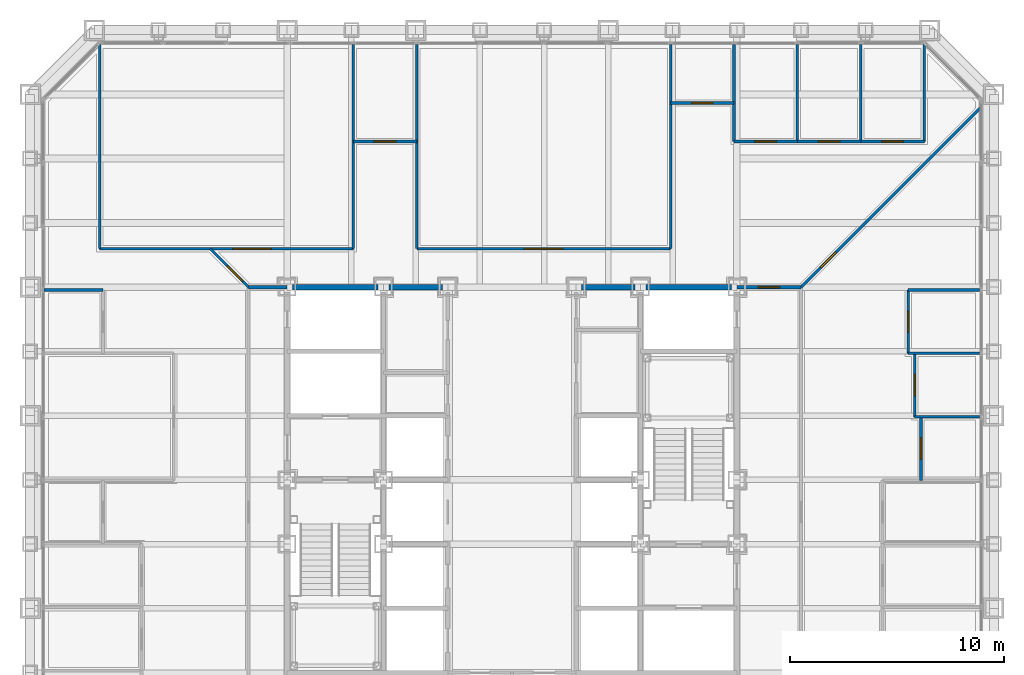
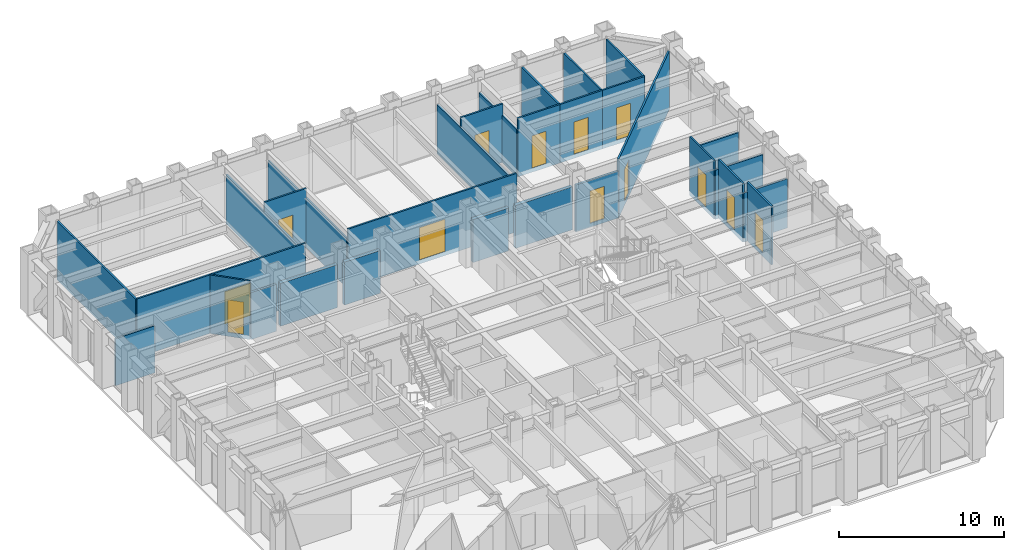
# One storey, part 11 of 16: 30 walls, 13 doors, 13 openings.
"""IFC4 building model written with IfcOpenShell, lengths in metres."""

from ifc_helpers import new_model, si_unit, direction, frame, frame_2d, origin, place, context, subcontext, project, spatial, rectangle, extrude, material, layer, layer_set, type_object, element, fill, save


model = new_model("IFC4")

# Units and contexts
model_context = context("Model", 3, precision=1e-05, world=origin(), true_north=direction((0.0, 1.0)))
body_context = subcontext(model_context, "Body", "Model", "MODEL_VIEW")
ifc_project = project(units=[si_unit("LENGTHUNIT", "METRE"), si_unit("AREAUNIT", "SQUARE_METRE"), si_unit("VOLUMEUNIT", "CUBIC_METRE"), si_unit("PLANEANGLEUNIT", "RADIAN"), si_unit("MASSUNIT", "GRAM", prefix="KILO")], contexts=[model_context])

# Site, building, storey
site_placement = place(None, origin())
site = spatial("IfcSite", under=ifc_project, at=site_placement, CompositionType="ELEMENT")
building_placement = place(site_placement, origin())
building = spatial("IfcBuilding", under=site, at=building_placement, Name="Chuquiago Exchange Tower", CompositionType="ELEMENT")
storey_placement = place(building_placement, frame((0.0, 0.0, 28.800048828125)))
storey = spatial("IfcBuildingStorey", under=building, at=storey_placement, Name="L05", CompositionType="ELEMENT", Elevation=28.800048828125)

# Walls
ifc_material_1 = material(Name="Concrete masonry, fully grouted", Category="masonry")
ifc_layer_1 = layer(ifc_material_1, 0.25)
ifc_layer_set_1 = layer_set([ifc_layer_1], Name="W1 core wall 250")
wall_type_1 = type_object("IfcWallType", Name="W1 core wall 250", PredefinedType="SOLIDWALL", material=ifc_layer_set_1)
wall_1_placement = place(storey_placement, frame((12.25, 33.0, 0.0), z_axis=(0.0, 0.0, 1.0), x_axis=(1.0, 0.0, 0.0)))
element("IfcWall", 1, at=wall_1_placement, inside=storey, type_object=wall_type_1, Name="CW-L05-11-0", PredefinedType="SOLIDWALL", context=body_context, shape_type="SweptSolid", body=[
    extrude(rectangle(XDim=4.0, YDim=0.25, at=frame_2d((2.0, 0.0))), origin(), (0.0, 0.0, 1.0), 3.181396484375),
])
for number, where, z_axis, x_axis, name in (
    (2, (16.75, 33.0, 0.0), (0.0, 0.0, 1.0), (1.0, 0.0, 0.0), "CW-L05-11-1"),
    (3, (25.75, 33.0, 0.0), (0.0, 0.0, 1.0), (1.0, 0.0, 0.0), "CW-L05-12-0"),
):
    element("IfcWall", number, at=place(storey_placement, frame(where, z_axis=z_axis, x_axis=x_axis)), inside=storey, type_object=wall_type_1, Name=name, PredefinedType="SOLIDWALL", context=body_context, shape_type="SweptSolid", body=[
        extrude(rectangle(XDim=2.5, YDim=0.25, at=frame_2d((1.25, 0.0))), origin(), (0.0, 0.0, 1.0), 3.181396484375),
    ])
wall_2_placement = place(storey_placement, frame((28.75, 33.0, 0.0), z_axis=(0.0, 0.0, 1.0), x_axis=(1.0, 0.0, 0.0)))
element("IfcWall", 4, at=wall_2_placement, inside=storey, type_object=wall_type_1, Name="CW-L05-12-1", PredefinedType="SOLIDWALL", context=body_context, shape_type="SweptSolid", body=[
    extrude(rectangle(XDim=4.0, YDim=0.25, at=frame_2d((2.0, 0.0))), origin(), (0.0, 0.0, 1.0), 3.181396484375),
])
ifc_material_2 = material(Name="Gypsum board on steel studs, acoustic insulation", Category="steel")
ifc_layer_2 = layer(ifc_material_2, 0.14990234375)
ifc_layer_set_2 = layer_set([ifc_layer_2], Name="W11 corridor wall 150")
wall_type_2 = type_object("IfcWallType", Name="W11 corridor wall 150", PredefinedType="PARTITIONING", material=ifc_layer_set_2)
wall_3_placement = place(storey_placement, frame((10.199951171875, 33.0, -0.300048828125), z_axis=(0.0, 0.0, 1.0), x_axis=(1.0, 0.0, 0.0)))
element("IfcWall", 5, at=wall_3_placement, inside=storey, type_object=wall_type_2, Name="PW-L05-GWN0", PredefinedType="PARTITIONING", context=body_context, shape_type="SweptSolid", body=[
    extrude(rectangle(XDim=1.800048828125, YDim=0.14990234375, at=frame_2d((0.89990234375, 0.0))), origin(), (0.0, 0.0, 1.0), 3.4814453125),
])

# Wall, opening, door
wall_4_placement = place(storey_placement, frame((33.0, 33.0, -0.300048828125), z_axis=(0.0, 0.0, 1.0), x_axis=(1.0, 0.0, 0.0)))
wall_4 = element("IfcWall", 6, at=wall_4_placement, inside=storey, type_object=wall_type_2, Name="PW-L05-GEN0", PredefinedType="PARTITIONING", context=body_context, shape_type="SweptSolid", body=[
    extrude(rectangle(XDim=3.0, YDim=0.14990234375, at=frame_2d((1.5, 0.0))), origin(), (0.0, 0.0, 1.0), 3.4814453125),
])
opening_1_placement = place(wall_4_placement, frame((1.0, 0.0, 0.300048828125)))
opening_1 = element("IfcOpeningElement", 7, at=opening_1_placement, cuts=wall_4, Name="Opening L05-054", PredefinedType="OPENING", context=body_context, shape_type="SweptSolid", body=[
    extrude(rectangle(XDim=1.0, YDim=2.39990234375, at=frame_2d((0.5, 1.199951171875))), frame((0.0, 0.0849609375, 0.0), z_axis=(0.0, -1.0, 0.0), x_axis=(1.0, 0.0, 0.0)), (0.0, 0.0, 1.0), 0.169921875),
])
ifc_material_3 = material(Name="Timber door, laminate faced", Category="wood")
door_type_1 = type_object("IfcDoorType", Name="D9 room door 1000x2400", OperationType="SINGLE_SWING_LEFT", PredefinedType="DOOR", material=ifc_material_3)
door_1_placement = place(opening_1_placement, origin())
door_1 = element("IfcDoor", 8, at=door_1_placement, inside=storey, type_object=door_type_1, Name="Team area door", OperationType="SINGLE_SWING_LEFT", OverallHeight=2.39990234375, OverallWidth=1.0, PredefinedType="DOOR", context=body_context, shape_type="SweptSolid", body=[
    extrude(rectangle(XDim=1.0, YDim=2.39990234375, at=frame_2d((0.5, 1.199951171875))), frame((0.0, 0.02490234375, 0.0), z_axis=(0.0, -1.0, 0.0), x_axis=(1.0, 0.0, 0.0)), (0.0, 0.0, 1.0), 0.050048828125),
])
fill(opening_1, door_1)

# Walls
ifc_material_4 = material(Name="Gypsum board on steel studs", Category="steel")
ifc_layer_3 = layer(ifc_material_4, 0.1201171875)
ifc_layer_set_3 = layer_set([ifc_layer_3], Name="W4 partition 120")
wall_type_3 = type_object("IfcWallType", Name="W4 partition 120", PredefinedType="PARTITIONING", material=ifc_layer_set_3)
wall_5_placement = place(storey_placement, frame((44.342529296875, 26.942626953125, -0.300048828125), z_axis=(0.0, 0.0, 1.0), x_axis=(-1.0, 0.0, 0.0)))
element("IfcWall", 9, at=wall_5_placement, inside=storey, type_object=wall_type_3, Name="PW-L05-E02694", PredefinedType="PARTITIONING", context=body_context, shape_type="SweptSolid", body=[
    extrude(rectangle(XDim=3.04248046875, YDim=0.1201171875, at=frame_2d((1.521240234375, 0.0))), origin(), (0.0, 0.0, 1.0), 3.646484375),
])
wall_6_placement = place(storey_placement, frame((44.342529296875, 29.904296875, -0.300048828125), z_axis=(0.0, 0.0, 1.0), x_axis=(-1.0, 0.0, 0.0)))
element("IfcWall", 10, at=wall_6_placement, inside=storey, type_object=wall_type_3, Name="PW-L05-E02990", PredefinedType="PARTITIONING", context=body_context, shape_type="SweptSolid", body=[
    extrude(rectangle(XDim=3.342529296875, YDim=0.1201171875, at=frame_2d((1.67138671875, 0.0))), origin(), (0.0, 0.0, 1.0), 3.646484375),
])
wall_7_placement = place(storey_placement, frame((44.342529296875, 32.8662109375, -0.300048828125), z_axis=(0.0, 0.0, 1.0), x_axis=(-1.0, 0.0, 0.0)))
element("IfcWall", 11, at=wall_7_placement, inside=storey, type_object=wall_type_3, Name="PW-L05-E03287", PredefinedType="PARTITIONING", context=body_context, shape_type="SweptSolid", body=[
    extrude(rectangle(XDim=3.342529296875, YDim=0.1201171875, at=frame_2d((1.67138671875, 0.0))), origin(), (0.0, 0.0, 1.0), 3.4814453125),
])

# Wall, opening, door
wall_8_placement = place(storey_placement, frame((41.60009765625, 23.98095703125, -0.300048828125), z_axis=(0.0, 0.0, 1.0), x_axis=(0.0, 1.0, 0.0)))
wall_8 = element("IfcWall", 12, at=wall_8_placement, inside=storey, type_object=wall_type_3, Name="PW-L05-EF02398", PredefinedType="PARTITIONING", context=body_context, shape_type="SweptSolid", body=[
    extrude(rectangle(XDim=2.961669921875, YDim=0.1201171875, at=frame_2d((1.48095703125, 0.0))), origin(), (0.0, 0.0, 1.0), 4.340087890625),
])
opening_2_placement = place(wall_8_placement, frame((0.98095703125, 0.0, 0.300048828125)))
opening_2 = element("IfcOpeningElement", 13, at=opening_2_placement, cuts=wall_8, Name="Opening L05-036", PredefinedType="OPENING", context=body_context, shape_type="SweptSolid", body=[
    extrude(rectangle(XDim=1.0, YDim=2.39990234375, at=frame_2d((0.5, 1.199951171875))), frame((0.0, 0.070068359375, 0.0), z_axis=(0.0, -1.0, 0.0), x_axis=(1.0, 0.0, 0.0)), (0.0, 0.0, 1.0), 0.14013671875),
])
ifc_material_5 = material(Name="Timber frame door, full height glazed panel", Category="wood")
door_type_2 = type_object("IfcDoorType", Name="D14 glazed meeting room door 1000x2400", OperationType="SINGLE_SWING_LEFT", PredefinedType="DOOR", material=ifc_material_5)
door_2_placement = place(opening_2_placement, frame((1.0, 0.0, 0.0), z_axis=(0.0, 0.0, 1.0), x_axis=(-1.0, 0.0, 0.0)))
door_2 = element("IfcDoor", 14, at=door_2_placement, inside=storey, type_object=door_type_2, Name="Focus room door", OperationType="SINGLE_SWING_LEFT", OverallHeight=2.39990234375, OverallWidth=1.0, PredefinedType="DOOR", context=body_context, shape_type="SweptSolid", body=[
    extrude(rectangle(XDim=1.0, YDim=2.39990234375, at=frame_2d((0.5, 1.199951171875))), frame((0.0, 0.02490234375, 0.0), z_axis=(0.0, -1.0, 0.0), x_axis=(1.0, 0.0, 0.0)), (0.0, 0.0, 1.0), 0.050048828125),
])
fill(opening_2, door_2)

wall_9_placement = place(storey_placement, frame((41.300048828125, 26.942626953125, -0.300048828125), z_axis=(0.0, 0.0, 1.0), x_axis=(0.0, 1.0, 0.0)))
wall_9 = element("IfcWall", 15, at=wall_9_placement, inside=storey, type_object=wall_type_3, Name="PW-L05-EF02694", PredefinedType="PARTITIONING", context=body_context, shape_type="SweptSolid", body=[
    extrude(rectangle(XDim=2.961669921875, YDim=0.1201171875, at=frame_2d((1.48095703125, 0.0))), origin(), (0.0, 0.0, 1.0), 4.340087890625),
])
opening_3_placement = place(wall_9_placement, frame((0.98095703125, 0.0, 0.300048828125)))
opening_3 = element("IfcOpeningElement", 16, at=opening_3_placement, cuts=wall_9, Name="Opening L05-037", PredefinedType="OPENING", context=body_context, shape_type="SweptSolid", body=[
    extrude(rectangle(XDim=1.0, YDim=2.39990234375, at=frame_2d((0.5, 1.199951171875))), frame((0.0, 0.070068359375, 0.0), z_axis=(0.0, -1.0, 0.0), x_axis=(1.0, 0.0, 0.0)), (0.0, 0.0, 1.0), 0.14013671875),
])
door_3_placement = place(opening_3_placement, frame((1.0, 0.0, 0.0), z_axis=(0.0, 0.0, 1.0), x_axis=(-1.0, 0.0, 0.0)))
door_3 = element("IfcDoor", 17, at=door_3_placement, inside=storey, type_object=door_type_1, Name="Store door", OperationType="SINGLE_SWING_RIGHT", OverallHeight=2.39990234375, OverallWidth=1.0, PredefinedType="DOOR", context=body_context, shape_type="SweptSolid", body=[
    extrude(rectangle(XDim=1.0, YDim=2.39990234375, at=frame_2d((0.5, 1.199951171875))), frame((0.0, 0.02490234375, 0.0), z_axis=(0.0, -1.0, 0.0), x_axis=(1.0, 0.0, 0.0)), (0.0, 0.0, 1.0), 0.050048828125),
])
fill(opening_3, door_3)

wall_10_placement = place(storey_placement, frame((41.0, 29.904296875, -0.300048828125), z_axis=(0.0, 0.0, 1.0), x_axis=(0.0, 1.0, 0.0)))
wall_10 = element("IfcWall", 18, at=wall_10_placement, inside=storey, type_object=wall_type_3, Name="PW-L05-EF02990", PredefinedType="PARTITIONING", context=body_context, shape_type="SweptSolid", body=[
    extrude(rectangle(XDim=2.9619140625, YDim=0.1201171875, at=frame_2d((1.48095703125, 0.0))), origin(), (0.0, 0.0, 1.0), 4.340087890625),
])
opening_4_placement = place(wall_10_placement, frame((0.98095703125, 0.0, 0.300048828125)))
opening_4 = element("IfcOpeningElement", 19, at=opening_4_placement, cuts=wall_10, Name="Opening L05-038", PredefinedType="OPENING", context=body_context, shape_type="SweptSolid", body=[
    extrude(rectangle(XDim=1.0, YDim=2.39990234375, at=frame_2d((0.5, 1.199951171875))), frame((0.0, 0.070068359375, 0.0), z_axis=(0.0, -1.0, 0.0), x_axis=(1.0, 0.0, 0.0)), (0.0, 0.0, 1.0), 0.14013671875),
])
door_4_placement = place(opening_4_placement, frame((1.0, 0.0, 0.0), z_axis=(0.0, 0.0, 1.0), x_axis=(-1.0, 0.0, 0.0)))
door_4 = element("IfcDoor", 20, at=door_4_placement, inside=storey, type_object=door_type_1, Name="Pantry door", OperationType="SINGLE_SWING_RIGHT", OverallHeight=2.39990234375, OverallWidth=1.0, PredefinedType="DOOR", context=body_context, shape_type="SweptSolid", body=[
    extrude(rectangle(XDim=1.0, YDim=2.39990234375, at=frame_2d((0.5, 1.199951171875))), frame((0.0, 0.02490234375, 0.0), z_axis=(0.0, -1.0, 0.0), x_axis=(1.0, 0.0, 0.0)), (0.0, 0.0, 1.0), 0.050048828125),
])
fill(opening_4, door_4)

# Walls
wall_11_placement = place(storey_placement, frame((3.24853515625, 44.333984375, -0.300048828125), z_axis=(0.0, 0.0, 1.0), x_axis=(0.0, -1.0, 0.0)))
element("IfcWall", 21, at=wall_11_placement, inside=storey, type_object=wall_type_3, Name="PW-L05-N00325", PredefinedType="PARTITIONING", context=body_context, shape_type="SweptSolid", body=[
    extrude(rectangle(XDim=9.533935546875, YDim=0.1201171875, at=frame_2d((4.76708984375, 0.0))), origin(), (0.0, 0.0, 1.0), 4.340087890625),
])
for number, where, z_axis, x_axis, name in (
    (22, (15.095703125, 44.342529296875, -0.300048828125), (0.0, 0.0, 1.0), (0.0, -1.0, 0.0), "PW-L05-N01510"),
    (23, (18.057373046875, 44.342529296875, -0.300048828125), (0.0, 0.0, 1.0), (0.0, -1.0, 0.0), "PW-L05-N01806"),
    (24, (29.904296875, 44.342529296875, -0.300048828125), (0.0, 0.0, 1.0), (0.0, -1.0, 0.0), "PW-L05-N02990"),
):
    element("IfcWall", number, at=place(storey_placement, frame(where, z_axis=z_axis, x_axis=x_axis)), inside=storey, type_object=wall_type_3, Name=name, PredefinedType="PARTITIONING", context=body_context, shape_type="SweptSolid", body=[
        extrude(rectangle(XDim=9.54248046875, YDim=0.1201171875, at=frame_2d((4.771240234375, 0.0))), origin(), (0.0, 0.0, 1.0), 3.646484375),
    ])
wall_12_placement = place(storey_placement, frame((32.8662109375, 44.342529296875, -0.300048828125), z_axis=(0.0, 0.0, 1.0), x_axis=(0.0, -1.0, 0.0)))
element("IfcWall", 25, at=wall_12_placement, inside=storey, type_object=wall_type_3, Name="PW-L05-N03287", PredefinedType="PARTITIONING", context=body_context, shape_type="SweptSolid", body=[
    extrude(rectangle(XDim=4.54248046875, YDim=0.1201171875, at=frame_2d((2.271240234375, 0.0))), origin(), (0.0, 0.0, 1.0), 3.4814453125),
])
for number, where, z_axis, x_axis, name in (
    (26, (35.827880859375, 44.342529296875, -0.300048828125), (0.0, 0.0, 1.0), (0.0, -1.0, 0.0), "PW-L05-N03583"),
    (27, (38.789794921875, 44.342529296875, -0.300048828125), (0.0, 0.0, 1.0), (0.0, -1.0, 0.0), "PW-L05-N03879"),
):
    element("IfcWall", number, at=place(storey_placement, frame(where, z_axis=z_axis, x_axis=x_axis)), inside=storey, type_object=wall_type_3, Name=name, PredefinedType="PARTITIONING", context=body_context, shape_type="SweptSolid", body=[
        extrude(rectangle(XDim=4.54248046875, YDim=0.1201171875, at=frame_2d((2.271240234375, 0.0))), origin(), (0.0, 0.0, 1.0), 4.340087890625),
    ])
wall_13_placement = place(storey_placement, frame((41.75146484375, 44.333984375, -0.300048828125), z_axis=(0.0, 0.0, 1.0), x_axis=(0.0, -1.0, 0.0)))
element("IfcWall", 28, at=wall_13_placement, inside=storey, type_object=wall_type_3, Name="PW-L05-N04175", PredefinedType="PARTITIONING", context=body_context, shape_type="SweptSolid", body=[
    extrude(rectangle(XDim=4.533935546875, YDim=0.1201171875, at=frame_2d((2.26708984375, 0.0))), origin(), (0.0, 0.0, 1.0), 4.340087890625),
])

# Wall, opening, door
wall_14_placement = place(storey_placement, frame((3.24853515625, 34.800048828125, -0.300048828125), z_axis=(0.0, 0.0, 1.0), x_axis=(1.0, 0.0, 0.0)))
wall_14 = element("IfcWall", 29, at=wall_14_placement, inside=storey, type_object=wall_type_3, Name="PW-L05-NF00325", PredefinedType="PARTITIONING", context=body_context, shape_type="SweptSolid", body=[
    extrude(rectangle(XDim=11.84716796875, YDim=0.1201171875, at=frame_2d((5.923583984375, 0.0))), origin(), (0.0, 0.0, 1.0), 4.340087890625),
])
opening_5_placement = place(wall_14_placement, frame((6.208251953125, 0.0, 0.300048828125)))
opening_5 = element("IfcOpeningElement", 30, at=opening_5_placement, cuts=wall_14, Name="Opening L05-039", PredefinedType="OPENING", context=body_context, shape_type="SweptSolid", body=[
    extrude(rectangle(XDim=1.800048828125, YDim=2.39990234375, at=frame_2d((0.89990234375, 1.199951171875))), frame((0.0, 0.070068359375, 0.0), z_axis=(0.0, -1.0, 0.0), x_axis=(1.0, 0.0, 0.0)), (0.0, 0.0, 1.0), 0.14013671875),
])
ifc_material_6 = material(Name="Timber door pair, laminate faced", Category="wood")
door_type_3 = type_object("IfcDoorType", Name="D15 double room door 1800x2400", OperationType="DOUBLE_DOOR_DOUBLE_SWING", PredefinedType="DOOR", material=ifc_material_6)
door_5_placement = place(opening_5_placement, origin())
door_5 = element("IfcDoor", 31, at=door_5_placement, inside=storey, type_object=door_type_3, Name="Trading room door", OperationType="DOUBLE_DOOR_DOUBLE_SWING", OverallHeight=2.39990234375, OverallWidth=1.800048828125, PredefinedType="DOOR", context=body_context, shape_type="SweptSolid", body=[
    extrude(rectangle(XDim=1.800048828125, YDim=2.39990234375, at=frame_2d((0.89990234375, 1.199951171875))), frame((0.0, 0.02490234375, 0.0), z_axis=(0.0, -1.0, 0.0), x_axis=(1.0, 0.0, 0.0)), (0.0, 0.0, 1.0), 0.050048828125),
])
fill(opening_5, door_5)

wall_15_placement = place(storey_placement, frame((15.095703125, 39.800048828125, -0.300048828125), z_axis=(0.0, 0.0, 1.0), x_axis=(1.0, 0.0, 0.0)))
wall_15 = element("IfcWall", 32, at=wall_15_placement, inside=storey, type_object=wall_type_3, Name="PW-L05-NF01510", PredefinedType="PARTITIONING", context=body_context, shape_type="SweptSolid", body=[
    extrude(rectangle(XDim=2.961669921875, YDim=0.1201171875, at=frame_2d((1.48095703125, 0.0))), origin(), (0.0, 0.0, 1.0), 4.340087890625),
])
opening_6_placement = place(wall_15_placement, frame((0.98095703125, 0.0, 0.300048828125)))
opening_6 = element("IfcOpeningElement", 33, at=opening_6_placement, cuts=wall_15, Name="Opening L05-040", PredefinedType="OPENING", context=body_context, shape_type="SweptSolid", body=[
    extrude(rectangle(XDim=1.0, YDim=2.39990234375, at=frame_2d((0.5, 1.199951171875))), frame((0.0, 0.070068359375, 0.0), z_axis=(0.0, -1.0, 0.0), x_axis=(1.0, 0.0, 0.0)), (0.0, 0.0, 1.0), 0.14013671875),
])
door_6_placement = place(opening_6_placement, origin())
door_6 = element("IfcDoor", 34, at=door_6_placement, inside=storey, type_object=door_type_1, Name="Office door", OperationType="SINGLE_SWING_LEFT", OverallHeight=2.39990234375, OverallWidth=1.0, PredefinedType="DOOR", context=body_context, shape_type="SweptSolid", body=[
    extrude(rectangle(XDim=1.0, YDim=2.39990234375, at=frame_2d((0.5, 1.199951171875))), frame((0.0, 0.02490234375, 0.0), z_axis=(0.0, -1.0, 0.0), x_axis=(1.0, 0.0, 0.0)), (0.0, 0.0, 1.0), 0.050048828125),
])
fill(opening_6, door_6)

wall_16_placement = place(storey_placement, frame((18.057373046875, 34.800048828125, -0.300048828125), z_axis=(0.0, 0.0, 1.0), x_axis=(1.0, 0.0, 0.0)))
wall_16 = element("IfcWall", 35, at=wall_16_placement, inside=storey, type_object=wall_type_3, Name="PW-L05-NF01806", PredefinedType="PARTITIONING", context=body_context, shape_type="SweptSolid", body=[
    extrude(rectangle(XDim=11.846923828125, YDim=0.1201171875, at=frame_2d((5.92333984375, 0.0))), origin(), (0.0, 0.0, 1.0), 4.340087890625),
])
opening_7_placement = place(wall_16_placement, frame((5.0234375, 0.0, 0.300048828125)))
opening_7 = element("IfcOpeningElement", 36, at=opening_7_placement, cuts=wall_16, Name="Opening L05-041", PredefinedType="OPENING", context=body_context, shape_type="SweptSolid", body=[
    extrude(rectangle(XDim=1.800048828125, YDim=2.39990234375, at=frame_2d((0.89990234375, 1.199951171875))), frame((0.0, 0.070068359375, 0.0), z_axis=(0.0, -1.0, 0.0), x_axis=(1.0, 0.0, 0.0)), (0.0, 0.0, 1.0), 0.14013671875),
])
door_7_placement = place(opening_7_placement, origin())
door_7 = element("IfcDoor", 37, at=door_7_placement, inside=storey, type_object=door_type_3, Name="Trading room door", OperationType="DOUBLE_DOOR_DOUBLE_SWING", OverallHeight=2.39990234375, OverallWidth=1.800048828125, PredefinedType="DOOR", context=body_context, shape_type="SweptSolid", body=[
    extrude(rectangle(XDim=1.800048828125, YDim=2.39990234375, at=frame_2d((0.89990234375, 1.199951171875))), frame((0.0, 0.02490234375, 0.0), z_axis=(0.0, -1.0, 0.0), x_axis=(1.0, 0.0, 0.0)), (0.0, 0.0, 1.0), 0.050048828125),
])
fill(opening_7, door_7)

wall_17_placement = place(storey_placement, frame((29.904296875, 41.60009765625, -0.300048828125), z_axis=(0.0, 0.0, 1.0), x_axis=(1.0, 0.0, 0.0)))
wall_17 = element("IfcWall", 38, at=wall_17_placement, inside=storey, type_object=wall_type_3, Name="PW-L05-NF02990", PredefinedType="PARTITIONING", context=body_context, shape_type="SweptSolid", body=[
    extrude(rectangle(XDim=2.9619140625, YDim=0.1201171875, at=frame_2d((1.48095703125, 0.0))), origin(), (0.0, 0.0, 1.0), 4.340087890625),
])
opening_8_placement = place(wall_17_placement, frame((0.98095703125, 0.0, 0.300048828125)))
opening_8 = element("IfcOpeningElement", 39, at=opening_8_placement, cuts=wall_17, Name="Opening L05-042", PredefinedType="OPENING", context=body_context, shape_type="SweptSolid", body=[
    extrude(rectangle(XDim=1.0, YDim=2.39990234375, at=frame_2d((0.5, 1.199951171875))), frame((0.0, 0.070068359375, 0.0), z_axis=(0.0, -1.0, 0.0), x_axis=(1.0, 0.0, 0.0)), (0.0, 0.0, 1.0), 0.14013671875),
])
door_8_placement = place(opening_8_placement, origin())
door_8 = element("IfcDoor", 40, at=door_8_placement, inside=storey, type_object=door_type_2, Name="Focus room door", OperationType="SINGLE_SWING_LEFT", OverallHeight=2.39990234375, OverallWidth=1.0, PredefinedType="DOOR", context=body_context, shape_type="SweptSolid", body=[
    extrude(rectangle(XDim=1.0, YDim=2.39990234375, at=frame_2d((0.5, 1.199951171875))), frame((0.0, 0.02490234375, 0.0), z_axis=(0.0, -1.0, 0.0), x_axis=(1.0, 0.0, 0.0)), (0.0, 0.0, 1.0), 0.050048828125),
])
fill(opening_8, door_8)

wall_18_placement = place(storey_placement, frame((32.8662109375, 39.800048828125, -0.300048828125), z_axis=(0.0, 0.0, 1.0), x_axis=(1.0, 0.0, 0.0)))
wall_18 = element("IfcWall", 41, at=wall_18_placement, inside=storey, type_object=wall_type_3, Name="PW-L05-NF03287", PredefinedType="PARTITIONING", context=body_context, shape_type="SweptSolid", body=[
    extrude(rectangle(XDim=2.961669921875, YDim=0.1201171875, at=frame_2d((1.48095703125, 0.0))), origin(), (0.0, 0.0, 1.0), 4.340087890625),
])
opening_9_placement = place(wall_18_placement, frame((0.98095703125, 0.0, 0.300048828125)))
opening_9 = element("IfcOpeningElement", 42, at=opening_9_placement, cuts=wall_18, Name="Opening L05-043", PredefinedType="OPENING", context=body_context, shape_type="SweptSolid", body=[
    extrude(rectangle(XDim=1.0, YDim=2.39990234375, at=frame_2d((0.5, 1.199951171875))), frame((0.0, 0.070068359375, 0.0), z_axis=(0.0, -1.0, 0.0), x_axis=(1.0, 0.0, 0.0)), (0.0, 0.0, 1.0), 0.14013671875),
])
door_9_placement = place(opening_9_placement, origin())
door_9 = element("IfcDoor", 43, at=door_9_placement, inside=storey, type_object=door_type_1, Name="Office door", OperationType="SINGLE_SWING_RIGHT", OverallHeight=2.39990234375, OverallWidth=1.0, PredefinedType="DOOR", context=body_context, shape_type="SweptSolid", body=[
    extrude(rectangle(XDim=1.0, YDim=2.39990234375, at=frame_2d((0.5, 1.199951171875))), frame((0.0, 0.02490234375, 0.0), z_axis=(0.0, -1.0, 0.0), x_axis=(1.0, 0.0, 0.0)), (0.0, 0.0, 1.0), 0.050048828125),
])
fill(opening_9, door_9)

wall_19_placement = place(storey_placement, frame((35.827880859375, 39.800048828125, -0.300048828125), z_axis=(0.0, 0.0, 1.0), x_axis=(1.0, 0.0, 0.0)))
wall_19 = element("IfcWall", 44, at=wall_19_placement, inside=storey, type_object=wall_type_3, Name="PW-L05-NF03583", PredefinedType="PARTITIONING", context=body_context, shape_type="SweptSolid", body=[
    extrude(rectangle(XDim=2.9619140625, YDim=0.1201171875, at=frame_2d((1.48095703125, 0.0))), origin(), (0.0, 0.0, 1.0), 4.340087890625),
])
opening_10_placement = place(wall_19_placement, frame((0.98095703125, 0.0, 0.300048828125)))
opening_10 = element("IfcOpeningElement", 45, at=opening_10_placement, cuts=wall_19, Name="Opening L05-044", PredefinedType="OPENING", context=body_context, shape_type="SweptSolid", body=[
    extrude(rectangle(XDim=1.0, YDim=2.39990234375, at=frame_2d((0.5, 1.199951171875))), frame((0.0, 0.070068359375, 0.0), z_axis=(0.0, -1.0, 0.0), x_axis=(1.0, 0.0, 0.0)), (0.0, 0.0, 1.0), 0.14013671875),
])
door_10_placement = place(opening_10_placement, origin())
door_10 = element("IfcDoor", 46, at=door_10_placement, inside=storey, type_object=door_type_1, Name="Office door", OperationType="SINGLE_SWING_LEFT", OverallHeight=2.39990234375, OverallWidth=1.0, PredefinedType="DOOR", context=body_context, shape_type="SweptSolid", body=[
    extrude(rectangle(XDim=1.0, YDim=2.39990234375, at=frame_2d((0.5, 1.199951171875))), frame((0.0, 0.02490234375, 0.0), z_axis=(0.0, -1.0, 0.0), x_axis=(1.0, 0.0, 0.0)), (0.0, 0.0, 1.0), 0.050048828125),
])
fill(opening_10, door_10)

wall_20_placement = place(storey_placement, frame((38.789794921875, 39.800048828125, -0.300048828125), z_axis=(0.0, 0.0, 1.0), x_axis=(1.0, 0.0, 0.0)))
wall_20 = element("IfcWall", 47, at=wall_20_placement, inside=storey, type_object=wall_type_3, Name="PW-L05-NF03879", PredefinedType="PARTITIONING", context=body_context, shape_type="SweptSolid", body=[
    extrude(rectangle(XDim=2.961669921875, YDim=0.1201171875, at=frame_2d((1.48095703125, 0.0))), origin(), (0.0, 0.0, 1.0), 4.340087890625),
])
opening_11_placement = place(wall_20_placement, frame((0.98095703125, 0.0, 0.300048828125)))
opening_11 = element("IfcOpeningElement", 48, at=opening_11_placement, cuts=wall_20, Name="Opening L05-045", PredefinedType="OPENING", context=body_context, shape_type="SweptSolid", body=[
    extrude(rectangle(XDim=1.0, YDim=2.39990234375, at=frame_2d((0.5, 1.199951171875))), frame((0.0, 0.070068359375, 0.0), z_axis=(0.0, -1.0, 0.0), x_axis=(1.0, 0.0, 0.0)), (0.0, 0.0, 1.0), 0.14013671875),
])
door_11_placement = place(opening_11_placement, origin())
door_11 = element("IfcDoor", 49, at=door_11_placement, inside=storey, type_object=door_type_2, Name="Meeting room door", OperationType="SINGLE_SWING_RIGHT", OverallHeight=2.39990234375, OverallWidth=1.0, PredefinedType="DOOR", context=body_context, shape_type="SweptSolid", body=[
    extrude(rectangle(XDim=1.0, YDim=2.39990234375, at=frame_2d((0.5, 1.199951171875))), frame((0.0, 0.02490234375, 0.0), z_axis=(0.0, -1.0, 0.0), x_axis=(1.0, 0.0, 0.0)), (0.0, 0.0, 1.0), 0.050048828125),
])
fill(opening_11, door_11)

# Wall
wall_21_placement = place(storey_placement, frame((0.657470703125, 32.8662109375, -0.300048828125), z_axis=(0.0, 0.0, 1.0), x_axis=(1.0, 0.0, 0.0)))
element("IfcWall", 50, at=wall_21_placement, inside=storey, type_object=wall_type_3, Name="PW-L05-W03287", PredefinedType="PARTITIONING", context=body_context, shape_type="SweptSolid", body=[
    extrude(rectangle(XDim=2.742431640625, YDim=0.1201171875, at=frame_2d((1.37109375, 0.0))), origin(), (0.0, 0.0, 1.0), 3.4814453125),
])

# Wall, opening, door
wall_22_placement = place(storey_placement, frame((36.0, 33.0, -0.300048828125), z_axis=(0.0, 0.0, 1.0), x_axis=(0.707106781187, 0.707106781187, 0.0)))
wall_22 = element("IfcWall", 51, at=wall_22_placement, inside=storey, type_object=wall_type_3, Name="PW-L05-QNE", PredefinedType="PARTITIONING", context=body_context, shape_type="SweptSolid", body=[
    extrude(rectangle(XDim=11.84228515625, YDim=0.1201171875, at=frame_2d((5.921142578125, 0.0))), origin(), (0.0, 0.0, 1.0), 4.340087890625),
])
opening_12_placement = place(wall_22_placement, frame((1.300048828125, 0.0, 0.300048828125)))
opening_12 = element("IfcOpeningElement", 52, at=opening_12_placement, cuts=wall_22, Name="Opening L05-056", PredefinedType="OPENING", context=body_context, shape_type="SweptSolid", body=[
    extrude(rectangle(XDim=1.0, YDim=2.39990234375, at=frame_2d((0.5, 1.199951171875))), frame((0.0, 0.070068359375, 0.0), z_axis=(0.0, -1.0, 0.0), x_axis=(1.0, 0.0, 0.0)), (0.0, 0.0, 1.0), 0.14013671875),
])
door_12_placement = place(opening_12_placement, origin())
door_12 = element("IfcDoor", 53, at=door_12_placement, inside=storey, type_object=door_type_1, Name="Team area door", OperationType="SINGLE_SWING_LEFT", OverallHeight=2.39990234375, OverallWidth=1.0, PredefinedType="DOOR", context=body_context, shape_type="SweptSolid", body=[
    extrude(rectangle(XDim=1.0, YDim=2.39990234375, at=frame_2d((0.5, 1.199951171875))), frame((0.0, 0.02490234375, 0.0), z_axis=(0.0, -1.0, 0.0), x_axis=(1.0, 0.0, 0.0)), (0.0, 0.0, 1.0), 0.050048828125),
])
fill(opening_12, door_12)

wall_23_placement = place(storey_placement, frame((10.199951171875, 33.0, -0.300048828125), z_axis=(0.0, 0.0, 1.0), x_axis=(-0.707106781187, 0.707106781187, 0.0)))
wall_23 = element("IfcWall", 54, at=wall_23_placement, inside=storey, type_object=wall_type_3, Name="PW-L05-QNW", PredefinedType="PARTITIONING", context=body_context, shape_type="SweptSolid", body=[
    extrude(rectangle(XDim=2.547119140625, YDim=0.1201171875, at=frame_2d((1.2734375, 0.0))), origin(), (0.0, 0.0, 1.0), 4.340087890625),
])
opening_13_placement = place(wall_23_placement, frame((0.39990234375, 0.0, 0.300048828125)))
opening_13 = element("IfcOpeningElement", 55, at=opening_13_placement, cuts=wall_23, Name="Opening L05-057", PredefinedType="OPENING", context=body_context, shape_type="SweptSolid", body=[
    extrude(rectangle(XDim=1.0, YDim=2.39990234375, at=frame_2d((0.5, 1.199951171875))), frame((0.0, 0.070068359375, 0.0), z_axis=(0.0, -1.0, 0.0), x_axis=(1.0, 0.0, 0.0)), (0.0, 0.0, 1.0), 0.14013671875),
])
door_13_placement = place(opening_13_placement, frame((1.0, 0.0, 0.0), z_axis=(0.0, 0.0, 1.0), x_axis=(-1.0, 0.0, 0.0)))
door_13 = element("IfcDoor", 56, at=door_13_placement, inside=storey, type_object=door_type_1, Name="Team area door", OperationType="SINGLE_SWING_RIGHT", OverallHeight=2.39990234375, OverallWidth=1.0, PredefinedType="DOOR", context=body_context, shape_type="SweptSolid", body=[
    extrude(rectangle(XDim=1.0, YDim=2.39990234375, at=frame_2d((0.5, 1.199951171875))), frame((0.0, 0.02490234375, 0.0), z_axis=(0.0, -1.0, 0.0), x_axis=(1.0, 0.0, 0.0)), (0.0, 0.0, 1.0), 0.050048828125),
])
fill(opening_13, door_13)

save(model, "model.ifc")
